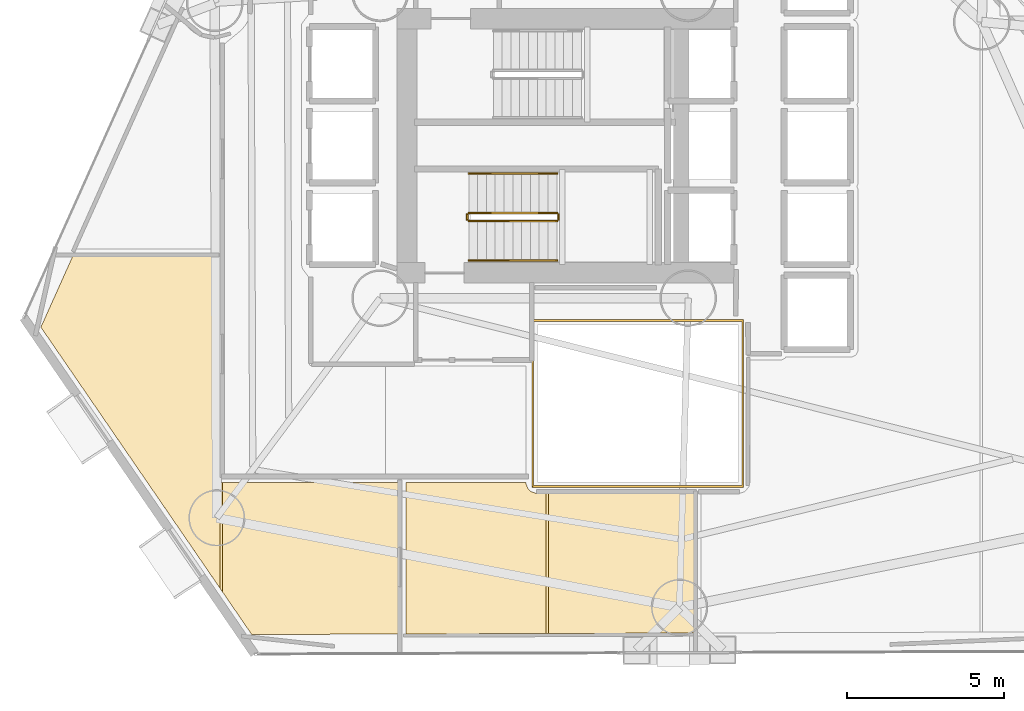
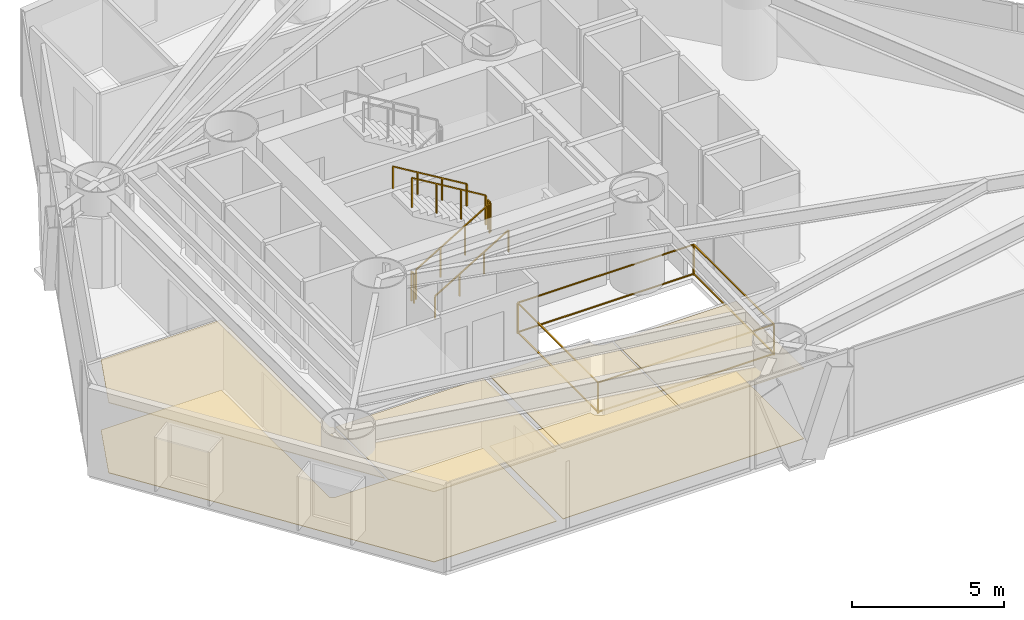
# One storey, part 19 of 22: 7 railings, 6 coverings.
"""IFC4 building model written with IfcOpenShell, lengths in metres."""

from ifc_helpers import new_model, si_unit, direction, frame, origin, origin_2d, place, context, subcontext, project, spatial, polyline, rectangle, outline, extrude, material, layer, layer_set, type_object, element, save


model = new_model("IFC4")

# Units and contexts
model_context = context("Model", 3, precision=1e-05, world=origin(), true_north=direction((0.0, 1.0)))
body_context = subcontext(model_context, "Body", "Model", "MODEL_VIEW")
ifc_project = project(units=[si_unit("LENGTHUNIT", "METRE"), si_unit("AREAUNIT", "SQUARE_METRE"), si_unit("VOLUMEUNIT", "CUBIC_METRE"), si_unit("PLANEANGLEUNIT", "RADIAN"), si_unit("MASSUNIT", "GRAM", prefix="KILO")], contexts=[model_context])

# Site, building, storey
site_placement = place(None, origin())
site = spatial("IfcSite", under=ifc_project, at=site_placement, CompositionType="ELEMENT")
building_placement = place(site_placement, origin())
building = spatial("IfcBuilding", under=site, at=building_placement, Name="Qianvela Tower", CompositionType="ELEMENT")
storey_placement = place(building_placement, frame((0.0, 0.0, 40.5)))
storey = spatial("IfcBuildingStorey", under=building, at=storey_placement, Name="L09", CompositionType="ELEMENT", Elevation=40.5)

# Coverings
ifc_material_1 = material(Name="Perforated Mineral Acoustic Ceiling Tile")
ifc_layer_1 = layer(ifc_material_1, 0.02490234375)
ifc_layer_set_1 = layer_set([ifc_layer_1], Name="Perforated Mineral Acoustic Ceiling Tile")
covering_type_1 = type_object("IfcCoveringType", Name="COV-CEIL-ACOUSTIC-25", PredefinedType="CEILING", material=ifc_layer_set_1)
covering_1_placement = place(storey_placement, frame((0.0, 0.0, 2.81494140625)))
element("IfcCovering", 1, at=covering_1_placement, inside=storey, type_object=covering_type_1, Name="L09 Acoustic Ceiling Bay 1 Social Sitting Lounge L09-01", PredefinedType="CEILING", context=body_context, shape_type="SweptSolid", body=[
    extrude(outline(polyline([(23.39990234375, 18.10400390625), (23.401123046875, 18.095703125), (23.4033203125, 18.087890625), (23.40625, 18.080078125), (23.409912109375, 18.07275390625), (23.414306640625, 18.06591796875), (23.41943359375, 18.059326171875), (23.42529296875, 18.053466796875), (23.431396484375, 18.04833984375), (23.438232421875, 18.043701171875), (23.50048828125, 18.006591796875), (23.50048828125, 14.631591796875), (17.80859375, 22.92724609375), (18.818359375, 25.177978515625), (23.39013671875, 25.177978515625), (23.3994140625, 18.1123046875), (23.39990234375, 18.10400390625)])), origin(), (0.0, 0.0, 1.0), 0.025146484375),
])
covering_2_placement = place(storey_placement, frame((0.0, 0.0, 2.81494140625)))
element("IfcCovering", 2, at=covering_2_placement, inside=storey, type_object=covering_type_1, Name="L09 Acoustic Ceiling Bay 2 Social Sitting Lounge L09-01", PredefinedType="CEILING", context=body_context, shape_type="SweptSolid", body=[
    extrude(outline(polyline([(29.177978515625, 17.989990234375), (29.177978515625, 13.16796875), (24.515380859375, 13.152099609375), (23.580322265625, 14.514892578125), (23.580322265625, 17.989990234375), (29.177978515625, 17.989990234375)])), origin(), (0.0, 0.0, 1.0), 0.025146484375),
])
covering_3_placement = place(storey_placement, frame((0.0, 0.0, 2.81494140625)))
element("IfcCovering", 3, at=covering_3_placement, inside=storey, type_object=covering_type_1, Name="L09 Acoustic Ceiling Bay 1 Commons Day Lounge L09-02", PredefinedType="CEILING", context=body_context, shape_type="SweptSolid", body=[
    extrude(outline(polyline([(33.24609375, 17.93505859375), (33.247314453125, 17.927978515625), (33.2490234375, 17.92138671875), (33.25146484375, 17.914794921875), (33.293212890625, 17.813720703125), (33.296630859375, 17.806640625), (33.30078125, 17.800048828125), (33.305419921875, 17.793701171875), (33.310546875, 17.787841796875), (33.387939453125, 17.710693359375), (33.39306640625, 17.705810546875), (33.398681640625, 17.70166015625), (33.40478515625, 17.69775390625), (33.410888671875, 17.694580078125), (33.41748046875, 17.69189453125), (33.545654296875, 17.64599609375), (33.554443359375, 17.643310546875), (33.5634765625, 17.641845703125), (33.572509765625, 17.641357421875), (33.869873046875, 17.641357421875), (33.869873046875, 13.18359375), (29.422119140625, 13.168701171875), (29.422119140625, 17.989990234375), (33.243408203125, 17.989990234375), (33.24560546875, 17.94189453125), (33.24609375, 17.93505859375)])), origin(), (0.0, 0.0, 1.0), 0.025146484375),
])
covering_4_placement = place(storey_placement, frame((0.0, 0.0, 2.81494140625)))
element("IfcCovering", 4, at=covering_4_placement, inside=storey, type_object=covering_type_1, Name="L09 Acoustic Ceiling Bay 2 Commons Day Lounge L09-02", PredefinedType="CEILING", context=body_context, shape_type="SweptSolid", body=[
    extrude(outline(polyline([(38.577880859375, 17.639892578125), (38.577880859375, 13.19970703125), (33.949951171875, 13.18408203125), (33.949951171875, 17.64111328125), (38.577880859375, 17.639892578125)])), origin(), (0.0, 0.0, 1.0), 0.025146484375),
])
ifc_material_2 = material(Name="Engineered Acoustic Oak Timber Flooring", Category="wood")
ifc_layer_2 = layer(ifc_material_2, 0.02001953125)
ifc_layer_set_2 = layer_set([ifc_layer_2], Name="Engineered Acoustic Oak Timber Flooring")
covering_type_2 = type_object("IfcCoveringType", Name="COV-FLOOR-OAK-20", PredefinedType="FLOORING", material=ifc_layer_set_2)
covering_5_placement = place(storey_placement, origin())
element("IfcCovering", 5, at=covering_5_placement, inside=storey, type_object=covering_type_2, Name="L09 Finish Flooring Social Sitting Lounge L09-01", PredefinedType="FLOORING", context=body_context, shape_type="SweptSolid", body=[
    extrude(outline(polyline([(23.3994140625, 18.1123046875), (23.39990234375, 18.10400390625), (23.401123046875, 18.095703125), (23.4033203125, 18.087890625), (23.40625, 18.080078125), (23.409912109375, 18.07275390625), (23.414306640625, 18.06591796875), (23.41943359375, 18.059326171875), (23.42529296875, 18.053466796875), (23.431396484375, 18.04833984375), (23.438232421875, 18.043701171875), (23.5087890625, 18.00146484375), (23.5166015625, 17.997314453125), (23.5244140625, 17.994140625), (23.532958984375, 17.991943359375), (23.54150390625, 17.990478515625), (23.550048828125, 17.989990234375), (29.177978515625, 17.989990234375), (29.177978515625, 13.16796875), (24.515380859375, 13.152099609375), (17.80859375, 22.92724609375), (18.818359375, 25.177978515625), (23.39013671875, 25.177978515625), (23.3994140625, 18.1123046875)])), origin(), (0.0, 0.0, 1.0), 0.02001953125),
])
covering_6_placement = place(storey_placement, origin())
element("IfcCovering", 6, at=covering_6_placement, inside=storey, type_object=covering_type_2, Name="L09 Finish Flooring Commons Day Lounge L09-02", PredefinedType="FLOORING", context=body_context, shape_type="SweptSolid", body=[
    extrude(outline(polyline([(33.24560546875, 17.94189453125), (33.24609375, 17.93505859375), (33.247314453125, 17.927978515625), (33.2490234375, 17.92138671875), (33.25146484375, 17.914794921875), (33.293212890625, 17.813720703125), (33.296630859375, 17.806640625), (33.30078125, 17.800048828125), (33.305419921875, 17.793701171875), (33.310546875, 17.787841796875), (33.387939453125, 17.710693359375), (33.39306640625, 17.705810546875), (33.398681640625, 17.70166015625), (33.40478515625, 17.69775390625), (33.410888671875, 17.694580078125), (33.41748046875, 17.69189453125), (33.545654296875, 17.64599609375), (33.554443359375, 17.643310546875), (33.5634765625, 17.641845703125), (33.572509765625, 17.641357421875), (38.577880859375, 17.639892578125), (38.577880859375, 13.19970703125), (29.422119140625, 13.168701171875), (29.422119140625, 17.989990234375), (33.243408203125, 17.989990234375), (33.24560546875, 17.94189453125)])), origin(), (0.0, 0.0, 1.0), 0.02001953125),
])

# Railings
ifc_material_3 = material(Name="Laminated Safety Glass and Stainless Steel 316", Category="steel")
railing_type_1 = type_object("IfcRailingType", Name="RL-ATRIUM-GUARD-1250", PredefinedType="GUARDRAIL", material=ifc_material_3)
railing_1_placement = place(storey_placement, frame((33.4599609375, 17.860107421875, 0.0)))
element("IfcRailing", 7, at=railing_1_placement, inside=storey, type_object=railing_type_1, Name="L09 Atrium Edge Guardrail 1", PredefinedType="GUARDRAIL", context=body_context, shape_type="SweptSolid", body=[
    extrude(rectangle(XDim=0.050048828125, YDim=0.0400390625, at=origin_2d()), frame((0.0, 0.0, 1.22998046875), z_axis=(0.0, 1.0, 0.0), x_axis=(-1.0, 0.0, 0.0)), (0.0, 0.0, 1.0), 5.27978515625),
    extrude(rectangle(XDim=0.050048828125, YDim=0.0400390625, at=origin_2d()), frame((0.0, 0.0, 0.050048828125), z_axis=(0.0, 1.0, 0.0), x_axis=(-1.0, 0.0, 0.0)), (0.0, 0.0, 1.0), 5.27978515625),
    extrude(rectangle(XDim=0.050048828125, YDim=0.0400390625, at=origin_2d()), frame((0.0, 5.27978515625, 1.22998046875), z_axis=(1.0, 0.0, 0.0), x_axis=(0.0, 1.0, 0.0)), (0.0, 0.0, 1.0), 6.679931640625),
    extrude(rectangle(XDim=0.050048828125, YDim=0.0400390625, at=origin_2d()), frame((0.0, 5.27978515625, 0.050048828125), z_axis=(1.0, 0.0, 0.0), x_axis=(0.0, 1.0, 0.0)), (0.0, 0.0, 1.0), 6.679931640625),
    extrude(rectangle(XDim=0.050048828125, YDim=0.0400390625, at=origin_2d()), frame((6.679931640625, 5.27978515625, 1.22998046875), z_axis=(0.0, -1.0, 0.0), x_axis=(1.0, 0.0, 0.0)), (0.0, 0.0, 1.0), 5.27978515625),
    extrude(rectangle(XDim=0.050048828125, YDim=0.0400390625, at=origin_2d()), frame((6.679931640625, 5.27978515625, 0.050048828125), z_axis=(0.0, -1.0, 0.0), x_axis=(1.0, 0.0, 0.0)), (0.0, 0.0, 1.0), 5.27978515625),
    extrude(rectangle(XDim=0.050048828125, YDim=0.0400390625, at=origin_2d()), frame((6.679931640625, 0.0, 1.22998046875), z_axis=(-1.0, 0.0, 0.0), x_axis=(0.0, -1.0, 0.0)), (0.0, 0.0, 1.0), 6.679931640625),
    extrude(rectangle(XDim=0.050048828125, YDim=0.0400390625, at=origin_2d()), frame((6.679931640625, 0.0, 0.050048828125), z_axis=(-1.0, 0.0, 0.0), x_axis=(0.0, -1.0, 0.0)), (0.0, 0.0, 1.0), 6.679931640625),
    extrude(rectangle(XDim=0.050048828125, YDim=0.050048828125, at=origin_2d()), origin(), (0.0, 0.0, 1.0), 1.2099609375),
    extrude(rectangle(XDim=0.050048828125, YDim=0.050048828125, at=origin_2d()), frame((0.0, 5.27978515625, 0.0)), (0.0, 0.0, 1.0), 1.2099609375),
    extrude(rectangle(XDim=0.050048828125, YDim=0.050048828125, at=origin_2d()), frame((6.679931640625, 5.27978515625, 0.0)), (0.0, 0.0, 1.0), 1.2099609375),
    extrude(rectangle(XDim=0.050048828125, YDim=0.050048828125, at=origin_2d()), frame((6.679931640625, 0.0, 0.0)), (0.0, 0.0, 1.0), 1.2099609375),
])
ifc_material_4 = material(Name="Painted Tubular Steel Q355B", Category="steel")
railing_type_2 = type_object("IfcRailingType", Name="RL-STAIR-GUARD-1200", PredefinedType="GUARDRAIL", material=ifc_material_4)
railing_2_placement = place(storey_placement, frame((31.419921875, 26.300048828125, 0.168212890625)))
element("IfcRailing", 8, at=railing_2_placement, inside=storey, type_object=railing_type_2, Name="L09 ST-2 stair guard 1", PredefinedType="GUARDRAIL", context=body_context, shape_type="SweptSolid", body=[
    extrude(rectangle(XDim=0.050048828125, YDim=0.0400390625, at=origin_2d()), frame((0.0, 0.0, 1.179931640625), z_axis=(0.857242210791, 0.0, 0.514913383045), x_axis=(0.0, 1.0, 0.0)), (0.0, 0.0, 1.0), 3.266357421875),
    extrude(rectangle(XDim=0.050048828125, YDim=0.050048828125, at=origin_2d()), origin(), (0.0, 0.0, 1.0), 1.159912109375),
    extrude(rectangle(XDim=0.050048828125, YDim=0.050048828125, at=origin_2d()), frame((0.933349609375, 0.0, 0.560546875)), (0.0, 0.0, 1.0), 1.159912109375),
    extrude(rectangle(XDim=0.050048828125, YDim=0.050048828125, at=origin_2d()), frame((1.86669921875, 0.0, 1.121337890625)), (0.0, 0.0, 1.0), 1.159912109375),
    extrude(rectangle(XDim=0.050048828125, YDim=0.050048828125, at=origin_2d()), frame((2.800048828125, 0.0, 1.681884765625)), (0.0, 0.0, 1.0), 1.159912109375),
])
railing_3_placement = place(storey_placement, frame((34.27001953125, 26.35009765625, 1.85009765625)))
element("IfcRailing", 9, at=railing_3_placement, inside=storey, type_object=railing_type_2, Name="L09 ST-2 stair guard 2", PredefinedType="GUARDRAIL", context=body_context, shape_type="SweptSolid", body=[
    extrude(rectangle(XDim=0.050048828125, YDim=0.0400390625, at=origin_2d()), frame((0.0, 0.0, 1.179931640625), z_axis=(0.0, 1.0, 0.0), x_axis=(-1.0, 0.0, 0.0)), (0.0, 0.0, 1.0), 0.159912109375),
    extrude(rectangle(XDim=0.050048828125, YDim=0.050048828125, at=origin_2d()), origin(), (0.0, 0.0, 1.0), 1.159912109375),
    extrude(rectangle(XDim=0.050048828125, YDim=0.050048828125, at=origin_2d()), frame((0.0, 0.159912109375, 0.0)), (0.0, 0.0, 1.0), 1.159912109375),
])
railing_4_placement = place(storey_placement, frame((34.219970703125, 26.56005859375, 2.01806640625)))
element("IfcRailing", 10, at=railing_4_placement, inside=storey, type_object=railing_type_2, Name="L09 ST-2 stair guard 3", PredefinedType="GUARDRAIL", context=body_context, shape_type="SweptSolid", body=[
    extrude(rectangle(XDim=0.050048828125, YDim=0.0400390625, at=origin_2d()), frame((0.0, 0.0, 1.179931640625), z_axis=(-0.857242210791, 0.0, 0.514913383045), x_axis=(0.0, -1.0, 0.0)), (0.0, 0.0, 1.0), 3.266357421875),
    extrude(rectangle(XDim=0.050048828125, YDim=0.050048828125, at=origin_2d()), origin(), (0.0, 0.0, 1.0), 1.159912109375),
    extrude(rectangle(XDim=0.050048828125, YDim=0.050048828125, at=origin_2d()), frame((-0.933349609375, 0.0, 0.560546875)), (0.0, 0.0, 1.0), 1.159912109375),
    extrude(rectangle(XDim=0.050048828125, YDim=0.050048828125, at=origin_2d()), frame((-1.86669921875, 0.0, 1.121337890625)), (0.0, 0.0, 1.0), 1.159912109375),
    extrude(rectangle(XDim=0.050048828125, YDim=0.050048828125, at=origin_2d()), frame((-2.800048828125, 0.0, 1.681884765625)), (0.0, 0.0, 1.0), 1.159912109375),
])
railing_5_placement = place(storey_placement, frame((31.3701171875, 26.35009765625, 0.0)))
element("IfcRailing", 11, at=railing_5_placement, inside=storey, type_object=railing_type_2, Name="L09 ST-2 stair guard 4", PredefinedType="GUARDRAIL", context=body_context, shape_type="SweptSolid", body=[
    extrude(rectangle(XDim=0.050048828125, YDim=0.0400390625, at=origin_2d()), frame((0.0, 0.0, 1.179931640625), z_axis=(0.0, 1.0, 0.0), x_axis=(-1.0, 0.0, 0.0)), (0.0, 0.0, 1.0), 0.159912109375),
    extrude(rectangle(XDim=0.050048828125, YDim=0.050048828125, at=origin_2d()), origin(), (0.0, 0.0, 1.0), 1.159912109375),
    extrude(rectangle(XDim=0.050048828125, YDim=0.050048828125, at=origin_2d()), frame((0.0, 0.159912109375, 0.0)), (0.0, 0.0, 1.0), 1.159912109375),
])
ifc_material_5 = material(Name="Brushed Stainless Steel 304", Category="steel")
railing_type_3 = type_object("IfcRailingType", Name="RL-STAIR-HANDRAIL-900", PredefinedType="HANDRAIL", material=ifc_material_5)
railing_6_placement = place(storey_placement, frame((31.419921875, 25.050048828125, 0.168212890625)))
element("IfcRailing", 12, at=railing_6_placement, inside=storey, type_object=railing_type_3, Name="L09 ST-2 stair handrail 1", PredefinedType="HANDRAIL", context=body_context, shape_type="SweptSolid", body=[
    extrude(rectangle(XDim=0.050048828125, YDim=0.0400390625, at=origin_2d()), frame((0.0, 0.0, 0.8798828125), z_axis=(0.857242210791, 0.0, 0.514913383045), x_axis=(0.0, 1.0, 0.0)), (0.0, 0.0, 1.0), 3.266357421875),
    extrude(rectangle(XDim=0.050048828125, YDim=0.050048828125, at=origin_2d()), origin(), (0.0, 0.0, 1.0), 0.85986328125),
    extrude(rectangle(XDim=0.050048828125, YDim=0.050048828125, at=origin_2d()), frame((0.933349609375, 0.0, 0.560546875)), (0.0, 0.0, 1.0), 0.85986328125),
    extrude(rectangle(XDim=0.050048828125, YDim=0.050048828125, at=origin_2d()), frame((1.86669921875, 0.0, 1.121337890625)), (0.0, 0.0, 1.0), 0.85986328125),
    extrude(rectangle(XDim=0.050048828125, YDim=0.050048828125, at=origin_2d()), frame((2.800048828125, 0.0, 1.681884765625)), (0.0, 0.0, 1.0), 0.85986328125),
])
railing_7_placement = place(storey_placement, frame((34.219970703125, 27.81005859375, 2.01806640625)))
element("IfcRailing", 13, at=railing_7_placement, inside=storey, type_object=railing_type_3, Name="L09 ST-2 stair handrail 2", PredefinedType="HANDRAIL", context=body_context, shape_type="SweptSolid", body=[
    extrude(rectangle(XDim=0.050048828125, YDim=0.0400390625, at=origin_2d()), frame((0.0, 0.0, 0.8798828125), z_axis=(-0.857242210791, 0.0, 0.514913383045), x_axis=(0.0, -1.0, 0.0)), (0.0, 0.0, 1.0), 3.266357421875),
    extrude(rectangle(XDim=0.050048828125, YDim=0.050048828125, at=origin_2d()), origin(), (0.0, 0.0, 1.0), 0.85986328125),
    extrude(rectangle(XDim=0.050048828125, YDim=0.050048828125, at=origin_2d()), frame((-0.933349609375, 0.0, 0.560546875)), (0.0, 0.0, 1.0), 0.85986328125),
    extrude(rectangle(XDim=0.050048828125, YDim=0.050048828125, at=origin_2d()), frame((-1.86669921875, 0.0, 1.121337890625)), (0.0, 0.0, 1.0), 0.85986328125),
    extrude(rectangle(XDim=0.050048828125, YDim=0.050048828125, at=origin_2d()), frame((-2.800048828125, 0.0, 1.681884765625)), (0.0, 0.0, 1.0), 0.85986328125),
])

save(model, "model.ifc")
